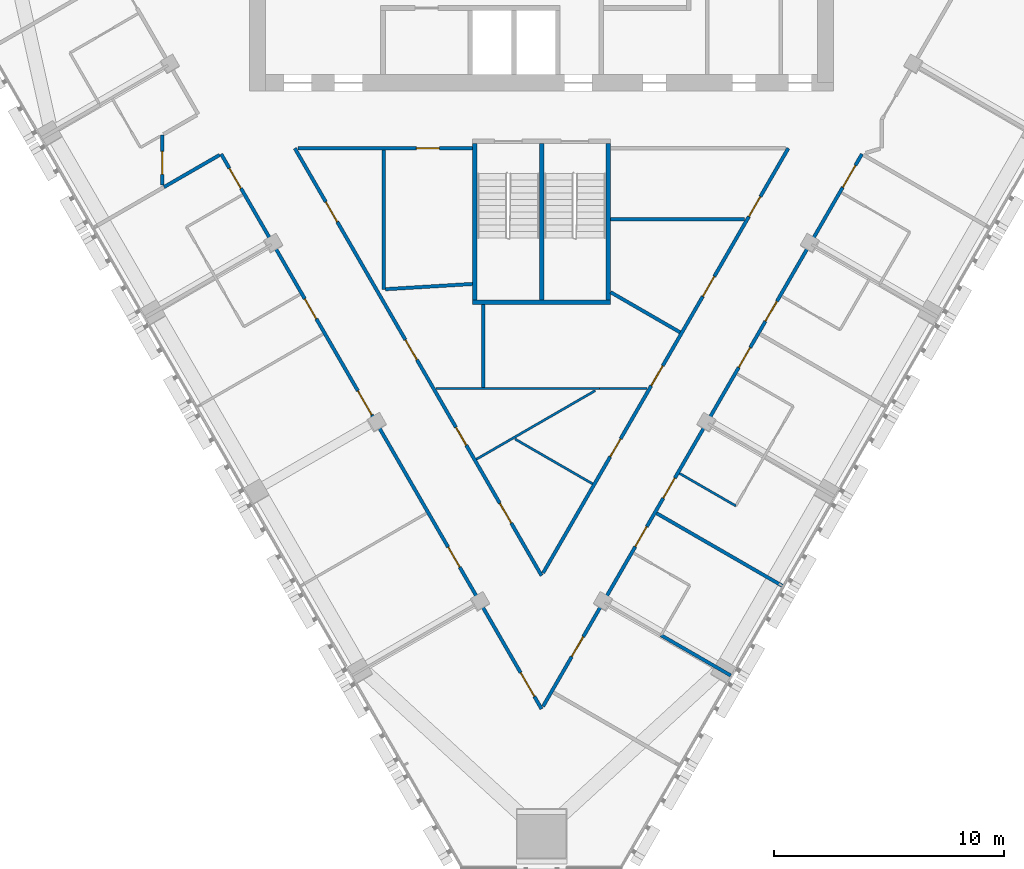
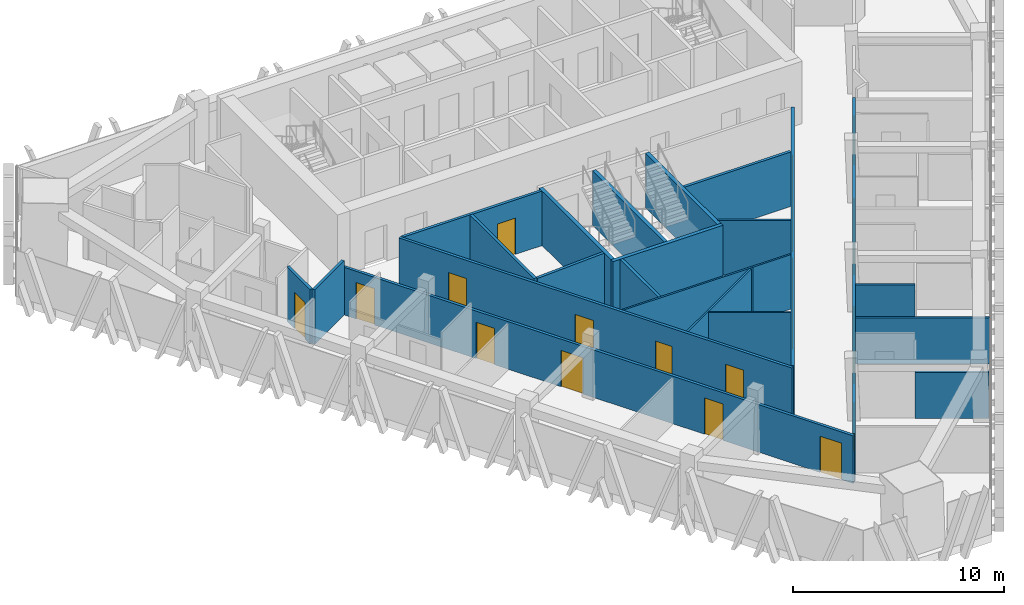
# One storey, part 9 of 16: 23 walls, 21 doors, 21 openings.
"""IFC4 building model written with IfcOpenShell, lengths in metres."""

from ifc_helpers import new_model, si_unit, direction, frame, frame_2d, origin, place, context, subcontext, project, spatial, rectangle, extrude, material, layer, layer_set, type_object, element, fill, save


model = new_model("IFC4")

# Units and contexts
model_context = context("Model", 3, precision=1e-05, world=origin(), true_north=direction((0.0, 1.0)))
body_context = subcontext(model_context, "Body", "Model", "MODEL_VIEW")
ifc_project = project(units=[si_unit("LENGTHUNIT", "METRE"), si_unit("AREAUNIT", "SQUARE_METRE"), si_unit("VOLUMEUNIT", "CUBIC_METRE"), si_unit("PLANEANGLEUNIT", "RADIAN"), si_unit("MASSUNIT", "GRAM", prefix="KILO")], contexts=[model_context])

# Site, building, storey
site_placement = place(None, origin())
site = spatial("IfcSite", under=ifc_project, at=site_placement, CompositionType="ELEMENT")
building_placement = place(site_placement, origin())
building = spatial("IfcBuilding", under=site, at=building_placement, Name="Altiplano Prism Tower", CompositionType="ELEMENT")
storey_placement = place(building_placement, frame((0.0, 0.0, 167.39990234375)))
storey = spatial("IfcBuildingStorey", under=building, at=storey_placement, Name="L43", CompositionType="ELEMENT", Elevation=167.39990234375)

# Walls
ifc_material_1 = material(Name="Plasterboard on steel stud", Category="steel")
ifc_layer_1 = layer(ifc_material_1, 0.10009765625)
ifc_layer_set_1 = layer_set([ifc_layer_1], Name="Plasterboard on steel stud")
wall_type_1 = type_object("IfcWallType", Name="Partition 100 unit", PredefinedType="PARTITIONING", material=ifc_layer_set_1)
wall_1_placement = place(storey_placement, frame((93.44921875, 74.64111328125, 0.0), z_axis=(0.0, 0.0, 1.0), x_axis=(-0.866011447264, 0.500024172624, 0.0)))
element("IfcWall", 1, at=wall_1_placement, inside=storey, type_object=wall_type_1, Name="Partition P02 L43 061", PredefinedType="PARTITIONING", context=body_context, shape_type="SweptSolid", body=[
    extrude(rectangle(XDim=2.824951171875, YDim=0.10009765625, at=frame_2d((1.41259765625, 0.0))), origin(), (0.0, 0.0, 1.0), 3.150146484375),
])
ifc_layer_2 = layer(ifc_material_1, 0.10009765625)
ifc_layer_set_2 = layer_set([ifc_layer_2], Name="Plasterboard on steel stud")
wall_type_2 = type_object("IfcWallType", Name="Partition 100 wet", PredefinedType="PARTITIONING", material=ifc_layer_set_2)
wall_2_placement = place(storey_placement, frame((82.163818359375, 76.669189453125, 0.0), z_axis=(0.0, 0.0, 1.0), x_axis=(0.866024860133, 0.500000941631, 0.0)))
element("IfcWall", 2, at=wall_2_placement, inside=storey, type_object=wall_type_2, Name="Partition P03 L43 029", PredefinedType="PARTITIONING", context=body_context, shape_type="SweptSolid", body=[
    extrude(rectangle(XDim=5.9697265625, YDim=0.10009765625, at=frame_2d((2.98486328125, 0.0))), origin(), (0.0, 0.0, 1.0), 3.150146484375),
])
wall_3_placement = place(storey_placement, frame((87.51513671875, 79.747314453125, 0.0), z_axis=(0.0, 0.0, 1.0), x_axis=(-1.0, 0.0, 0.0)))
element("IfcWall", 3, at=wall_3_placement, inside=storey, type_object=wall_type_2, Name="Partition P03 L43 030", PredefinedType="PARTITIONING", context=body_context, shape_type="SweptSolid", body=[
    extrude(rectangle(XDim=7.099609375, YDim=0.10009765625, at=frame_2d((3.5498046875, 0.0))), origin(), (0.0, 0.0, 1.0), 3.150146484375),
])
wall_4_placement = place(storey_placement, frame((83.8408203125, 77.55078125, 0.0), z_axis=(0.0, 0.0, 1.0), x_axis=(0.86603551244, -0.499982490886, 0.0)))
element("IfcWall", 4, at=wall_4_placement, inside=storey, type_object=wall_type_2, Name="Partition P03 L43 031", PredefinedType="PARTITIONING", context=body_context, shape_type="SweptSolid", body=[
    extrude(rectangle(XDim=3.901123046875, YDim=0.10009765625, at=frame_2d((1.95068359375, 0.0))), origin(), (0.0, 0.0, 1.0), 3.150146484375),
])
wall_5_placement = place(storey_placement, frame((89.58447265625, 79.747314453125, 0.0), z_axis=(0.0, 0.0, 1.0), x_axis=(-1.0, 0.0, 0.0)))
element("IfcWall", 5, at=wall_5_placement, inside=storey, type_object=wall_type_2, Name="Partition P03 L43 032", PredefinedType="PARTITIONING", context=body_context, shape_type="SweptSolid", body=[
    extrude(rectangle(XDim=2.0693359375, YDim=0.10009765625, at=frame_2d((1.03466796875, 0.0))), origin(), (0.0, 0.0, 1.0), 3.150146484375),
])

# Wall, openings, doors
ifc_layer_3 = layer(ifc_material_1, 0.14990234375)
ifc_layer_set_3 = layer_set([ifc_layer_3], Name="Plasterboard on steel stud")
wall_type_3 = type_object("IfcWallType", Name="Partition 150 corridor", PredefinedType="PARTITIONING", material=ifc_layer_set_3)
wall_6_placement = place(storey_placement, frame((95.73486328125, 90.199951171875, 0.0), z_axis=(0.0, 0.0, 1.0), x_axis=(-0.499997763281, -0.866026695151, 0.0)))
wall_6 = element("IfcWall", 6, at=wall_6_placement, inside=storey, type_object=wall_type_3, Name="Partition P06 L43 001", PredefinedType="PARTITIONING", context=body_context, shape_type="SweptSolid", body=[
    extrude(rectangle(XDim=21.33984375, YDim=0.14990234375, at=frame_2d((10.669921875, 0.0))), origin(), (0.0, 0.0, 1.0), 3.150146484375),
])
opening_1_placement = place(wall_6_placement, frame((14.59912109375, 0.0, 0.0)))
opening_1 = element("IfcOpeningElement", 7, at=opening_1_placement, cuts=wall_6, Name="Opening D1508", PredefinedType="OPENING", context=body_context, shape_type="SweptSolid", body=[
    extrude(rectangle(XDim=0.89990234375, YDim=2.10009765625, at=frame_2d((0.449951171875, 1.050048828125))), frame((0.0, 0.08544921875, 0.0), z_axis=(0.0, -1.0, 0.0), x_axis=(1.0, 0.0, 0.0)), (0.0, 0.0, 1.0), 0.1708984375),
])
opening_2_placement = place(wall_6_placement, frame((6.44091796875, 0.0, 0.0)))
opening_2 = element("IfcOpeningElement", 8, at=opening_2_placement, cuts=wall_6, Name="Opening D1512", PredefinedType="OPENING", context=body_context, shape_type="SweptSolid", body=[
    extrude(rectangle(XDim=1.0, YDim=2.10009765625, at=frame_2d((0.5, 1.050048828125))), frame((0.0, 0.08544921875, 0.0), z_axis=(0.0, -1.0, 0.0), x_axis=(1.0, 0.0, 0.0)), (0.0, 0.0, 1.0), 0.1708984375),
])
opening_3_placement = place(wall_6_placement, frame((10.929931640625, 0.0, 0.0)))
opening_3 = element("IfcOpeningElement", 9, at=opening_3_placement, cuts=wall_6, Name="Opening D1540", PredefinedType="OPENING", context=body_context, shape_type="SweptSolid", body=[
    extrude(rectangle(XDim=1.0, YDim=2.10009765625, at=frame_2d((0.5, 1.050048828125))), frame((0.0, 0.08544921875, 0.0), z_axis=(0.0, -1.0, 0.0), x_axis=(1.0, 0.0, 0.0)), (0.0, 0.0, 1.0), 0.1708984375),
])
opening_4_placement = place(wall_6_placement, frame((2.426025390625, 0.0, 0.0)))
opening_4 = element("IfcOpeningElement", 10, at=opening_4_placement, cuts=wall_6, Name="Opening D1542", PredefinedType="OPENING", context=body_context, shape_type="SweptSolid", body=[
    extrude(rectangle(XDim=1.0, YDim=2.10009765625, at=frame_2d((0.5, 1.050048828125))), frame((0.0, 0.08544921875, 0.0), z_axis=(0.0, -1.0, 0.0), x_axis=(1.0, 0.0, 0.0)), (0.0, 0.0, 1.0), 0.1708984375),
])
ifc_material_2 = material(Name="Timber", Category="wood")
door_type_1 = type_object("IfcDoorType", Name="Room door 1000 x 2100", OperationType="NOTDEFINED", PredefinedType="NOTDEFINED", material=ifc_material_2)
door_1_placement = place(opening_3_placement, origin())
door_1 = element("IfcDoor", 11, at=door_1_placement, inside=storey, type_object=door_type_1, Name="Door D1540", OperationType="SINGLE_SWING_RIGHT", OverallHeight=2.10009765625, OverallWidth=1.0, PredefinedType="NOTDEFINED", context=body_context, shape_type="SweptSolid", body=[
    extrude(rectangle(XDim=1.0, YDim=2.10009765625, at=frame_2d((0.5, 1.050048828125))), frame((0.0, 0.02490234375, 0.0), z_axis=(0.0, -1.0, 0.0), x_axis=(1.0, 0.0, 0.0)), (0.0, 0.0, 1.0), 0.050048828125),
])
fill(opening_3, door_1)
door_type_2 = type_object("IfcDoorType", Name="Store door 1000 x 2100", OperationType="NOTDEFINED", PredefinedType="NOTDEFINED", material=ifc_material_2)
door_2_placement = place(opening_2_placement, origin())
door_2 = element("IfcDoor", 12, at=door_2_placement, inside=storey, type_object=door_type_2, Name="Door D1512", OperationType="SINGLE_SWING_RIGHT", OverallHeight=2.10009765625, OverallWidth=1.0, PredefinedType="NOTDEFINED", context=body_context, shape_type="SweptSolid", body=[
    extrude(rectangle(XDim=1.0, YDim=2.10009765625, at=frame_2d((0.5, 1.050048828125))), frame((0.0, 0.02490234375, 0.0), z_axis=(0.0, -1.0, 0.0), x_axis=(1.0, 0.0, 0.0)), (0.0, 0.0, 1.0), 0.050048828125),
])
fill(opening_2, door_2)
door_3_placement = place(opening_4_placement, origin())
door_3 = element("IfcDoor", 13, at=door_3_placement, inside=storey, type_object=door_type_2, Name="Door D1542", OperationType="SINGLE_SWING_RIGHT", OverallHeight=2.10009765625, OverallWidth=1.0, PredefinedType="NOTDEFINED", context=body_context, shape_type="SweptSolid", body=[
    extrude(rectangle(XDim=1.0, YDim=2.10009765625, at=frame_2d((0.5, 1.050048828125))), frame((0.0, 0.02490234375, 0.0), z_axis=(0.0, -1.0, 0.0), x_axis=(1.0, 0.0, 0.0)), (0.0, 0.0, 1.0), 0.050048828125),
])
fill(opening_4, door_3)
door_type_3 = type_object("IfcDoorType", Name="Toilet door 900 x 2100", OperationType="NOTDEFINED", PredefinedType="NOTDEFINED", material=ifc_material_2)
door_4_placement = place(opening_1_placement, origin())
door_4 = element("IfcDoor", 14, at=door_4_placement, inside=storey, type_object=door_type_3, Name="Door D1508", OperationType="SINGLE_SWING_RIGHT", OverallHeight=2.10009765625, OverallWidth=0.89990234375, PredefinedType="NOTDEFINED", context=body_context, shape_type="SweptSolid", body=[
    extrude(rectangle(XDim=0.89990234375, YDim=2.10009765625, at=frame_2d((0.449951171875, 1.050048828125))), frame((0.0, 0.02490234375, 0.0), z_axis=(0.0, -1.0, 0.0), x_axis=(1.0, 0.0, 0.0)), (0.0, 0.0, 1.0), 0.050048828125),
])
fill(opening_1, door_4)

# Wall, opening, door
wall_7_placement = place(storey_placement, frame((74.39501953125, 90.199951171875, 0.0), z_axis=(0.0, 0.0, 1.0), x_axis=(1.0, 0.0, 0.0)))
wall_7 = element("IfcWall", 15, at=wall_7_placement, inside=storey, type_object=wall_type_3, Name="Partition P06 L43 002", PredefinedType="PARTITIONING", context=body_context, shape_type="SweptSolid", body=[
    extrude(rectangle(XDim=7.60498046875, YDim=0.14990234375, at=frame_2d((3.802490234375, 0.0))), origin(), (0.0, 0.0, 1.0), 3.150146484375),
])
opening_5_placement = place(wall_7_placement, frame((5.158935546875, 0.0, 0.0)))
opening_5 = element("IfcOpeningElement", 16, at=opening_5_placement, cuts=wall_7, Name="Opening D1541", PredefinedType="OPENING", context=body_context, shape_type="SweptSolid", body=[
    extrude(rectangle(XDim=1.0, YDim=2.10009765625, at=frame_2d((0.5, 1.050048828125))), frame((0.0, 0.08544921875, 0.0), z_axis=(0.0, -1.0, 0.0), x_axis=(1.0, 0.0, 0.0)), (0.0, 0.0, 1.0), 0.1708984375),
])
door_5_placement = place(opening_5_placement, origin())
door_5 = element("IfcDoor", 17, at=door_5_placement, inside=storey, type_object=door_type_1, Name="Door D1541", OperationType="SINGLE_SWING_RIGHT", OverallHeight=2.10009765625, OverallWidth=1.0, PredefinedType="NOTDEFINED", context=body_context, shape_type="SweptSolid", body=[
    extrude(rectangle(XDim=1.0, YDim=2.10009765625, at=frame_2d((0.5, 1.050048828125))), frame((0.0, 0.02490234375, 0.0), z_axis=(0.0, -1.0, 0.0), x_axis=(1.0, 0.0, 0.0)), (0.0, 0.0, 1.0), 0.050048828125),
])
fill(opening_5, door_5)

# Wall, openings, doors
wall_8_placement = place(storey_placement, frame((85.0, 71.606689453125, 0.0), z_axis=(0.0, 0.0, 1.0), x_axis=(-0.50000134921, 0.866024624816, 0.0)))
wall_8 = element("IfcWall", 18, at=wall_8_placement, inside=storey, type_object=wall_type_3, Name="Partition P06 L43 003", PredefinedType="PARTITIONING", context=body_context, shape_type="SweptSolid", body=[
    extrude(rectangle(XDim=21.4697265625, YDim=0.14990234375, at=frame_2d((10.73486328125, 0.0))), origin(), (0.0, 0.0, 1.0), 3.150146484375),
])
opening_6_placement = place(wall_8_placement, frame((6.551025390625, 0.0, 0.0)))
opening_6 = element("IfcOpeningElement", 19, at=opening_6_placement, cuts=wall_8, Name="Opening D1507", PredefinedType="OPENING", context=body_context, shape_type="SweptSolid", body=[
    extrude(rectangle(XDim=0.89990234375, YDim=2.10009765625, at=frame_2d((0.449951171875, 1.050048828125))), frame((0.0, 0.08544921875, 0.0), z_axis=(0.0, -1.0, 0.0), x_axis=(1.0, 0.0, 0.0)), (0.0, 0.0, 1.0), 0.1708984375),
])
opening_7_placement = place(wall_8_placement, frame((17.77490234375, 0.0, 0.0)))
opening_7 = element("IfcOpeningElement", 20, at=opening_7_placement, cuts=wall_8, Name="Opening D1509", PredefinedType="OPENING", context=body_context, shape_type="SweptSolid", body=[
    extrude(rectangle(XDim=1.0, YDim=2.10009765625, at=frame_2d((0.5, 1.050048828125))), frame((0.0, 0.08544921875, 0.0), z_axis=(0.0, -1.0, 0.0), x_axis=(1.0, 0.0, 0.0)), (0.0, 0.0, 1.0), 0.1708984375),
])
opening_8_placement = place(wall_8_placement, frame((2.635986328125, 0.0, 0.0)))
opening_8 = element("IfcOpeningElement", 21, at=opening_8_placement, cuts=wall_8, Name="Opening D1510", PredefinedType="OPENING", context=body_context, shape_type="SweptSolid", body=[
    extrude(rectangle(XDim=1.0, YDim=2.10009765625, at=frame_2d((0.5, 1.050048828125))), frame((0.0, 0.08544921875, 0.0), z_axis=(0.0, -1.0, 0.0), x_axis=(1.0, 0.0, 0.0)), (0.0, 0.0, 1.0), 0.1708984375),
])
opening_9_placement = place(wall_8_placement, frame((10.843994140625, 0.0, 0.0)))
opening_9 = element("IfcOpeningElement", 22, at=opening_9_placement, cuts=wall_8, Name="Opening D1511", PredefinedType="OPENING", context=body_context, shape_type="SweptSolid", body=[
    extrude(rectangle(XDim=1.0, YDim=2.10009765625, at=frame_2d((0.5, 1.050048828125))), frame((0.0, 0.08544921875, 0.0), z_axis=(0.0, -1.0, 0.0), x_axis=(1.0, 0.0, 0.0)), (0.0, 0.0, 1.0), 0.1708984375),
])
door_6_placement = place(opening_7_placement, origin())
door_6 = element("IfcDoor", 23, at=door_6_placement, inside=storey, type_object=door_type_2, Name="Door D1509", OperationType="SINGLE_SWING_RIGHT", OverallHeight=2.10009765625, OverallWidth=1.0, PredefinedType="NOTDEFINED", context=body_context, shape_type="SweptSolid", body=[
    extrude(rectangle(XDim=1.0, YDim=2.10009765625, at=frame_2d((0.5, 1.050048828125))), frame((0.0, 0.02490234375, 0.0), z_axis=(0.0, -1.0, 0.0), x_axis=(1.0, 0.0, 0.0)), (0.0, 0.0, 1.0), 0.050048828125),
])
fill(opening_7, door_6)
door_7_placement = place(opening_8_placement, origin())
door_7 = element("IfcDoor", 24, at=door_7_placement, inside=storey, type_object=door_type_2, Name="Door D1510", OperationType="SINGLE_SWING_LEFT", OverallHeight=2.10009765625, OverallWidth=1.0, PredefinedType="NOTDEFINED", context=body_context, shape_type="SweptSolid", body=[
    extrude(rectangle(XDim=1.0, YDim=2.10009765625, at=frame_2d((0.5, 1.050048828125))), frame((0.0, 0.02490234375, 0.0), z_axis=(0.0, -1.0, 0.0), x_axis=(1.0, 0.0, 0.0)), (0.0, 0.0, 1.0), 0.050048828125),
])
fill(opening_8, door_7)
door_8_placement = place(opening_9_placement, origin())
door_8 = element("IfcDoor", 25, at=door_8_placement, inside=storey, type_object=door_type_2, Name="Door D1511", OperationType="SINGLE_SWING_LEFT", OverallHeight=2.10009765625, OverallWidth=1.0, PredefinedType="NOTDEFINED", context=body_context, shape_type="SweptSolid", body=[
    extrude(rectangle(XDim=1.0, YDim=2.10009765625, at=frame_2d((0.5, 1.050048828125))), frame((0.0, 0.02490234375, 0.0), z_axis=(0.0, -1.0, 0.0), x_axis=(1.0, 0.0, 0.0)), (0.0, 0.0, 1.0), 0.050048828125),
])
fill(opening_9, door_8)
door_9_placement = place(opening_6_placement, origin())
door_9 = element("IfcDoor", 26, at=door_9_placement, inside=storey, type_object=door_type_3, Name="Door D1507", OperationType="SINGLE_SWING_LEFT", OverallHeight=2.10009765625, OverallWidth=0.89990234375, PredefinedType="NOTDEFINED", context=body_context, shape_type="SweptSolid", body=[
    extrude(rectangle(XDim=0.89990234375, YDim=2.10009765625, at=frame_2d((0.449951171875, 1.050048828125))), frame((0.0, 0.02490234375, 0.0), z_axis=(0.0, -1.0, 0.0), x_axis=(1.0, 0.0, 0.0)), (0.0, 0.0, 1.0), 0.050048828125),
])
fill(opening_6, door_9)

# Wall, opening, door
wall_9_placement = place(storey_placement, frame((68.5, 90.777587890625, 0.0), z_axis=(0.0, 0.0, 1.0), x_axis=(0.0, -1.0, 0.0)))
wall_9 = element("IfcWall", 27, at=wall_9_placement, inside=storey, type_object=wall_type_3, Name="Partition P06 L43 009", PredefinedType="PARTITIONING", context=body_context, shape_type="SweptSolid", body=[
    extrude(rectangle(XDim=2.179443359375, YDim=0.14990234375, at=frame_2d((1.08984375, 0.0))), origin(), (0.0, 0.0, 1.0), 3.150146484375),
])
opening_10_placement = place(wall_9_placement, frame((0.7119140625, 0.0, 0.0)))
opening_10 = element("IfcOpeningElement", 28, at=opening_10_placement, cuts=wall_9, Name="Opening D1516", PredefinedType="OPENING", context=body_context, shape_type="SweptSolid", body=[
    extrude(rectangle(XDim=1.0, YDim=2.10009765625, at=frame_2d((0.5, 1.050048828125))), frame((0.0, 0.08544921875, 0.0), z_axis=(0.0, -1.0, 0.0), x_axis=(1.0, 0.0, 0.0)), (0.0, 0.0, 1.0), 0.1708984375),
])
door_type_4 = type_object("IfcDoorType", Name="Bedroom entrance door 1000 x 2100", OperationType="NOTDEFINED", PredefinedType="NOTDEFINED", material=ifc_material_2)
door_10_placement = place(opening_10_placement, origin())
door_10 = element("IfcDoor", 29, at=door_10_placement, inside=storey, type_object=door_type_4, Name="Door D1516", OperationType="SINGLE_SWING_LEFT", OverallHeight=2.10009765625, OverallWidth=1.0, PredefinedType="NOTDEFINED", context=body_context, shape_type="SweptSolid", body=[
    extrude(rectangle(XDim=1.0, YDim=2.10009765625, at=frame_2d((0.5, 1.050048828125))), frame((0.0, 0.02490234375, 0.0), z_axis=(0.0, -1.0, 0.0), x_axis=(1.0, 0.0, 0.0)), (0.0, 0.0, 1.0), 0.050048828125),
])
fill(opening_10, door_10)

# Wall
wall_10_placement = place(storey_placement, frame((68.572265625, 88.510009765625, 0.0), z_axis=(0.0, 0.0, 1.0), x_axis=(0.866056369097, 0.49994636267, 0.0)))
element("IfcWall", 30, at=wall_10_placement, inside=storey, type_object=wall_type_3, Name="Partition P06 L43 011", PredefinedType="PARTITIONING", context=body_context, shape_type="SweptSolid", body=[
    extrude(rectangle(XDim=2.800048828125, YDim=0.14990234375, at=frame_2d((1.39990234375, 0.0))), origin(), (0.0, 0.0, 1.0), 3.150146484375),
])

# Wall, openings, doors
wall_11_placement = place(storey_placement, frame((71.062255859375, 89.947509765625, 0.0), z_axis=(0.0, 0.0, 1.0), x_axis=(0.500000184135, -0.866025297474, 0.0)))
wall_11 = element("IfcWall", 31, at=wall_11_placement, inside=storey, type_object=wall_type_3, Name="Partition P06 L43 012", PredefinedType="PARTITIONING", context=body_context, shape_type="SweptSolid", body=[
    extrude(rectangle(XDim=27.87548828125, YDim=0.14990234375, at=frame_2d((13.937744140625, 0.0))), origin(), (0.0, 0.0, 1.0), 2.75),
])
opening_11_placement = place(wall_11_placement, frame((0.719970703125, 0.0, 0.0)))
opening_11 = element("IfcOpeningElement", 32, at=opening_11_placement, cuts=wall_11, Name="Opening D1518", PredefinedType="OPENING", context=body_context, shape_type="SweptSolid", body=[
    extrude(rectangle(XDim=1.0, YDim=2.10009765625, at=frame_2d((0.5, 1.050048828125))), frame((0.0, 0.08544921875, 0.0), z_axis=(0.0, -1.0, 0.0), x_axis=(1.0, 0.0, 0.0)), (0.0, 0.0, 1.0), 0.1708984375),
])
opening_12_placement = place(wall_11_placement, frame((7.280029296875, 0.0, 0.0)))
opening_12 = element("IfcOpeningElement", 33, at=opening_12_placement, cuts=wall_11, Name="Opening D1520", PredefinedType="OPENING", context=body_context, shape_type="SweptSolid", body=[
    extrude(rectangle(XDim=1.0, YDim=2.10009765625, at=frame_2d((0.5, 1.050048828125))), frame((0.0, 0.08544921875, 0.0), z_axis=(0.0, -1.0, 0.0), x_axis=(1.0, 0.0, 0.0)), (0.0, 0.0, 1.0), 0.1708984375),
])
opening_13_placement = place(wall_11_placement, frame((11.89990234375, 0.0, 0.0)))
opening_13 = element("IfcOpeningElement", 34, at=opening_13_placement, cuts=wall_11, Name="Opening D1522", PredefinedType="OPENING", context=body_context, shape_type="SweptSolid", body=[
    extrude(rectangle(XDim=1.199951171875, YDim=2.10009765625, at=frame_2d((0.60009765625, 1.050048828125))), frame((0.0, 0.08544921875, 0.0), z_axis=(0.0, -1.0, 0.0), x_axis=(1.0, 0.0, 0.0)), (0.0, 0.0, 1.0), 0.1708984375),
])
opening_14_placement = place(wall_11_placement, frame((19.75, 0.0, 0.0)))
opening_14 = element("IfcOpeningElement", 35, at=opening_14_placement, cuts=wall_11, Name="Opening D1523", PredefinedType="OPENING", context=body_context, shape_type="SweptSolid", body=[
    extrude(rectangle(XDim=1.0, YDim=2.10009765625, at=frame_2d((0.5, 1.050048828125))), frame((0.0, 0.08544921875, 0.0), z_axis=(0.0, -1.0, 0.0), x_axis=(1.0, 0.0, 0.0)), (0.0, 0.0, 1.0), 0.1708984375),
])
opening_15_placement = place(wall_11_placement, frame((26.051025390625, 0.0, 0.0)))
opening_15 = element("IfcOpeningElement", 36, at=opening_15_placement, cuts=wall_11, Name="Opening D1524", PredefinedType="OPENING", context=body_context, shape_type="SweptSolid", body=[
    extrude(rectangle(XDim=1.199951171875, YDim=2.10009765625, at=frame_2d((0.60009765625, 1.050048828125))), frame((0.0, 0.08544921875, 0.0), z_axis=(0.0, -1.0, 0.0), x_axis=(1.0, 0.0, 0.0)), (0.0, 0.0, 1.0), 0.1708984375),
])
door_11_placement = place(opening_11_placement, origin())
door_11 = element("IfcDoor", 37, at=door_11_placement, inside=storey, type_object=door_type_4, Name="Door D1518", OperationType="SINGLE_SWING_LEFT", OverallHeight=2.10009765625, OverallWidth=1.0, PredefinedType="NOTDEFINED", context=body_context, shape_type="SweptSolid", body=[
    extrude(rectangle(XDim=1.0, YDim=2.10009765625, at=frame_2d((0.5, 1.050048828125))), frame((0.0, 0.02490234375, 0.0), z_axis=(0.0, -1.0, 0.0), x_axis=(1.0, 0.0, 0.0)), (0.0, 0.0, 1.0), 0.050048828125),
])
fill(opening_11, door_11)
door_12_placement = place(opening_12_placement, origin())
door_12 = element("IfcDoor", 38, at=door_12_placement, inside=storey, type_object=door_type_4, Name="Door D1520", OperationType="SINGLE_SWING_RIGHT", OverallHeight=2.10009765625, OverallWidth=1.0, PredefinedType="NOTDEFINED", context=body_context, shape_type="SweptSolid", body=[
    extrude(rectangle(XDim=1.0, YDim=2.10009765625, at=frame_2d((0.5, 1.050048828125))), frame((0.0, 0.02490234375, 0.0), z_axis=(0.0, -1.0, 0.0), x_axis=(1.0, 0.0, 0.0)), (0.0, 0.0, 1.0), 0.050048828125),
])
fill(opening_12, door_12)
door_13_placement = place(opening_14_placement, origin())
door_13 = element("IfcDoor", 39, at=door_13_placement, inside=storey, type_object=door_type_1, Name="Door D1523", OperationType="SINGLE_SWING_RIGHT", OverallHeight=2.10009765625, OverallWidth=1.0, PredefinedType="NOTDEFINED", context=body_context, shape_type="SweptSolid", body=[
    extrude(rectangle(XDim=1.0, YDim=2.10009765625, at=frame_2d((0.5, 1.050048828125))), frame((0.0, 0.02490234375, 0.0), z_axis=(0.0, -1.0, 0.0), x_axis=(1.0, 0.0, 0.0)), (0.0, 0.0, 1.0), 0.050048828125),
])
fill(opening_14, door_13)
door_type_5 = type_object("IfcDoorType", Name="Shared room door 1200 x 2100", OperationType="NOTDEFINED", PredefinedType="NOTDEFINED", material=ifc_material_2)
door_14_placement = place(opening_13_placement, origin())
door_14 = element("IfcDoor", 40, at=door_14_placement, inside=storey, type_object=door_type_5, Name="Door D1522", OperationType="SINGLE_SWING_RIGHT", OverallHeight=2.10009765625, OverallWidth=1.199951171875, PredefinedType="NOTDEFINED", context=body_context, shape_type="SweptSolid", body=[
    extrude(rectangle(XDim=1.199951171875, YDim=2.10009765625, at=frame_2d((0.60009765625, 1.050048828125))), frame((0.0, 0.02490234375, 0.0), z_axis=(0.0, -1.0, 0.0), x_axis=(1.0, 0.0, 0.0)), (0.0, 0.0, 1.0), 0.050048828125),
])
fill(opening_13, door_14)
door_15_placement = place(opening_15_placement, origin())
door_15 = element("IfcDoor", 41, at=door_15_placement, inside=storey, type_object=door_type_5, Name="Door D1524", OperationType="SINGLE_SWING_RIGHT", OverallHeight=2.10009765625, OverallWidth=1.199951171875, PredefinedType="NOTDEFINED", context=body_context, shape_type="SweptSolid", body=[
    extrude(rectangle(XDim=1.199951171875, YDim=2.10009765625, at=frame_2d((0.60009765625, 1.050048828125))), frame((0.0, 0.02490234375, 0.0), z_axis=(0.0, -1.0, 0.0), x_axis=(1.0, 0.0, 0.0)), (0.0, 0.0, 1.0), 0.050048828125),
])
fill(opening_15, door_15)

wall_12_placement = place(storey_placement, frame((85.06494140625, 65.919189453125, 0.0), z_axis=(0.0, 0.0, 1.0), x_axis=(0.50000123084, 0.866024693157, 0.0)))
wall_12 = element("IfcWall", 42, at=wall_12_placement, inside=storey, type_object=wall_type_3, Name="Partition P06 L43 013", PredefinedType="PARTITIONING", context=body_context, shape_type="SweptSolid", body=[
    extrude(rectangle(XDim=27.74560546875, YDim=0.14990234375, at=frame_2d((13.872802734375, 0.0))), origin(), (0.0, 0.0, 1.0), 2.75),
])
opening_16_placement = place(wall_12_placement, frame((2.49609375, 0.0, 0.0)))
opening_16 = element("IfcOpeningElement", 43, at=opening_16_placement, cuts=wall_12, Name="Opening D1525", PredefinedType="OPENING", context=body_context, shape_type="SweptSolid", body=[
    extrude(rectangle(XDim=1.0, YDim=2.10009765625, at=frame_2d((0.5, 1.050048828125))), frame((0.0, 0.08544921875, 0.0), z_axis=(0.0, -1.0, 0.0), x_axis=(1.0, 0.0, 0.0)), (0.0, 0.0, 1.0), 0.1708984375),
])
opening_17_placement = place(wall_12_placement, frame((8.02490234375, 0.0, 0.0)))
opening_17 = element("IfcOpeningElement", 44, at=opening_17_placement, cuts=wall_12, Name="Opening D1526", PredefinedType="OPENING", context=body_context, shape_type="SweptSolid", body=[
    extrude(rectangle(XDim=1.0, YDim=2.10009765625, at=frame_2d((0.5, 1.050048828125))), frame((0.0, 0.08544921875, 0.0), z_axis=(0.0, -1.0, 0.0), x_axis=(1.0, 0.0, 0.0)), (0.0, 0.0, 1.0), 0.1708984375),
])
opening_18_placement = place(wall_12_placement, frame((10.466064453125, 0.0, 0.0)))
opening_18 = element("IfcOpeningElement", 45, at=opening_18_placement, cuts=wall_12, Name="Opening D1528", PredefinedType="OPENING", context=body_context, shape_type="SweptSolid", body=[
    extrude(rectangle(XDim=1.0, YDim=2.10009765625, at=frame_2d((0.5, 1.050048828125))), frame((0.0, 0.08544921875, 0.0), z_axis=(0.0, -1.0, 0.0), x_axis=(1.0, 0.0, 0.0)), (0.0, 0.0, 1.0), 0.1708984375),
])
opening_19_placement = place(wall_12_placement, frame((17.02490234375, 0.0, 0.0)))
opening_19 = element("IfcOpeningElement", 46, at=opening_19_placement, cuts=wall_12, Name="Opening D1530", PredefinedType="OPENING", context=body_context, shape_type="SweptSolid", body=[
    extrude(rectangle(XDim=1.0, YDim=2.10009765625, at=frame_2d((0.5, 1.050048828125))), frame((0.0, 0.08544921875, 0.0), z_axis=(0.0, -1.0, 0.0), x_axis=(1.0, 0.0, 0.0)), (0.0, 0.0, 1.0), 0.1708984375),
])
opening_20_placement = place(wall_12_placement, frame((19.35009765625, 0.0, 0.0)))
opening_20 = element("IfcOpeningElement", 47, at=opening_20_placement, cuts=wall_12, Name="Opening D1532", PredefinedType="OPENING", context=body_context, shape_type="SweptSolid", body=[
    extrude(rectangle(XDim=1.0, YDim=2.10009765625, at=frame_2d((0.5, 1.050048828125))), frame((0.0, 0.08544921875, 0.0), z_axis=(0.0, -1.0, 0.0), x_axis=(1.0, 0.0, 0.0)), (0.0, 0.0, 1.0), 0.1708984375),
])
opening_21_placement = place(wall_12_placement, frame((26.074951171875, 0.0, 0.0)))
opening_21 = element("IfcOpeningElement", 48, at=opening_21_placement, cuts=wall_12, Name="Opening D1534", PredefinedType="OPENING", context=body_context, shape_type="SweptSolid", body=[
    extrude(rectangle(XDim=1.10009765625, YDim=2.10009765625, at=frame_2d((0.550048828125, 1.050048828125))), frame((0.0, 0.08544921875, 0.0), z_axis=(0.0, -1.0, 0.0), x_axis=(1.0, 0.0, 0.0)), (0.0, 0.0, 1.0), 0.1708984375),
])
door_type_6 = type_object("IfcDoorType", Name="Accessible bedroom door 1100 x 2100", OperationType="NOTDEFINED", PredefinedType="NOTDEFINED", material=ifc_material_2)
door_16_placement = place(opening_21_placement, origin())
door_16 = element("IfcDoor", 49, at=door_16_placement, inside=storey, type_object=door_type_6, Name="Door D1534", OperationType="SINGLE_SWING_LEFT", OverallHeight=2.10009765625, OverallWidth=1.10009765625, PredefinedType="NOTDEFINED", context=body_context, shape_type="SweptSolid", body=[
    extrude(rectangle(XDim=1.10009765625, YDim=2.10009765625, at=frame_2d((0.550048828125, 1.050048828125))), frame((0.0, 0.02490234375, 0.0), z_axis=(0.0, -1.0, 0.0), x_axis=(1.0, 0.0, 0.0)), (0.0, 0.0, 1.0), 0.050048828125),
])
fill(opening_21, door_16)
door_17_placement = place(opening_17_placement, origin())
door_17 = element("IfcDoor", 50, at=door_17_placement, inside=storey, type_object=door_type_4, Name="Door D1526", OperationType="SINGLE_SWING_LEFT", OverallHeight=2.10009765625, OverallWidth=1.0, PredefinedType="NOTDEFINED", context=body_context, shape_type="SweptSolid", body=[
    extrude(rectangle(XDim=1.0, YDim=2.10009765625, at=frame_2d((0.5, 1.050048828125))), frame((0.0, 0.02490234375, 0.0), z_axis=(0.0, -1.0, 0.0), x_axis=(1.0, 0.0, 0.0)), (0.0, 0.0, 1.0), 0.050048828125),
])
fill(opening_17, door_17)
door_18_placement = place(opening_18_placement, origin())
door_18 = element("IfcDoor", 51, at=door_18_placement, inside=storey, type_object=door_type_4, Name="Door D1528", OperationType="SINGLE_SWING_LEFT", OverallHeight=2.10009765625, OverallWidth=1.0, PredefinedType="NOTDEFINED", context=body_context, shape_type="SweptSolid", body=[
    extrude(rectangle(XDim=1.0, YDim=2.10009765625, at=frame_2d((0.5, 1.050048828125))), frame((0.0, 0.02490234375, 0.0), z_axis=(0.0, -1.0, 0.0), x_axis=(1.0, 0.0, 0.0)), (0.0, 0.0, 1.0), 0.050048828125),
])
fill(opening_18, door_18)
door_19_placement = place(opening_19_placement, origin())
door_19 = element("IfcDoor", 52, at=door_19_placement, inside=storey, type_object=door_type_4, Name="Door D1530", OperationType="SINGLE_SWING_RIGHT", OverallHeight=2.10009765625, OverallWidth=1.0, PredefinedType="NOTDEFINED", context=body_context, shape_type="SweptSolid", body=[
    extrude(rectangle(XDim=1.0, YDim=2.10009765625, at=frame_2d((0.5, 1.050048828125))), frame((0.0, 0.02490234375, 0.0), z_axis=(0.0, -1.0, 0.0), x_axis=(1.0, 0.0, 0.0)), (0.0, 0.0, 1.0), 0.050048828125),
])
fill(opening_19, door_19)
door_20_placement = place(opening_20_placement, origin())
door_20 = element("IfcDoor", 53, at=door_20_placement, inside=storey, type_object=door_type_4, Name="Door D1532", OperationType="SINGLE_SWING_RIGHT", OverallHeight=2.10009765625, OverallWidth=1.0, PredefinedType="NOTDEFINED", context=body_context, shape_type="SweptSolid", body=[
    extrude(rectangle(XDim=1.0, YDim=2.10009765625, at=frame_2d((0.5, 1.050048828125))), frame((0.0, 0.02490234375, 0.0), z_axis=(0.0, -1.0, 0.0), x_axis=(1.0, 0.0, 0.0)), (0.0, 0.0, 1.0), 0.050048828125),
])
fill(opening_20, door_20)
door_21_placement = place(opening_16_placement, origin())
door_21 = element("IfcDoor", 54, at=door_21_placement, inside=storey, type_object=door_type_1, Name="Door D1525", OperationType="SINGLE_SWING_RIGHT", OverallHeight=2.10009765625, OverallWidth=1.0, PredefinedType="NOTDEFINED", context=body_context, shape_type="SweptSolid", body=[
    extrude(rectangle(XDim=1.0, YDim=2.10009765625, at=frame_2d((0.5, 1.050048828125))), frame((0.0, 0.02490234375, 0.0), z_axis=(0.0, -1.0, 0.0), x_axis=(1.0, 0.0, 0.0)), (0.0, 0.0, 1.0), 0.050048828125),
])
fill(opening_16, door_21)

# Walls
ifc_layer_4 = layer(ifc_material_1, 0.14990234375)
ifc_layer_set_4 = layer_set([ifc_layer_4], Name="Plasterboard on steel stud")
wall_type_4 = type_object("IfcWallType", Name="Partition 150 party", PredefinedType="PARTITIONING", material=ifc_layer_set_4)
wall_13_placement = place(storey_placement, frame((78.13330078125, 84.06201171875, 0.0), z_axis=(0.0, 0.0, 1.0), x_axis=(0.0, 1.0, 0.0)))
element("IfcWall", 55, at=wall_13_placement, inside=storey, type_object=wall_type_4, Name="Partition P01 L43 033", PredefinedType="PARTITIONING", context=body_context, shape_type="SweptSolid", body=[
    extrude(rectangle(XDim=6.06298828125, YDim=0.14990234375, at=frame_2d((3.031494140625, 0.0))), origin(), (0.0, 0.0, 1.0), 3.150146484375),
])
wall_14_placement = place(storey_placement, frame((82.460205078125, 79.79736328125, 0.0), z_axis=(0.0, 0.0, 1.0), x_axis=(0.0, 1.0, 0.0)))
element("IfcWall", 56, at=wall_14_placement, inside=storey, type_object=wall_type_4, Name="Partition P01 L43 034", PredefinedType="PARTITIONING", context=body_context, shape_type="SweptSolid", body=[
    extrude(rectangle(XDim=3.6025390625, YDim=0.14990234375, at=frame_2d((1.80126953125, 0.0))), origin(), (0.0, 0.0, 1.0), 3.150146484375),
])
wall_15_placement = place(storey_placement, frame((82.0, 84.2958984375, 0.0), z_axis=(0.0, 0.0, 1.0), x_axis=(-0.998176729649, -0.060359062172, 0.0)))
element("IfcWall", 57, at=wall_15_placement, inside=storey, type_object=wall_type_4, Name="Partition P01 L43 035", PredefinedType="PARTITIONING", context=body_context, shape_type="SweptSolid", body=[
    extrude(rectangle(XDim=3.7939453125, YDim=0.14990234375, at=frame_2d((1.89697265625, 0.0))), origin(), (0.0, 0.0, 1.0), 3.150146484375),
])
wall_16_placement = place(storey_placement, frame((88.0, 83.938720703125, 0.0), z_axis=(0.0, 0.0, 1.0), x_axis=(0.866023805411, -0.500002768454, 0.0)))
element("IfcWall", 58, at=wall_16_placement, inside=storey, type_object=wall_type_4, Name="Partition P01 L43 036", PredefinedType="PARTITIONING", context=body_context, shape_type="SweptSolid", body=[
    extrude(rectangle(XDim=3.4931640625, YDim=0.14990234375, at=frame_2d((1.74658203125, 0.0))), origin(), (0.0, 0.0, 1.0), 3.150146484375),
])
wall_17_placement = place(storey_placement, frame((93.82275390625, 87.113037109375, 0.0), z_axis=(0.0, 0.0, 1.0), x_axis=(-1.0, 0.0, 0.0)))
element("IfcWall", 59, at=wall_17_placement, inside=storey, type_object=wall_type_4, Name="Partition P01 L43 037", PredefinedType="PARTITIONING", context=body_context, shape_type="SweptSolid", body=[
    extrude(rectangle(XDim=5.82275390625, YDim=0.14990234375, at=frame_2d((2.911376953125, 0.0))), origin(), (0.0, 0.0, 1.0), 3.150146484375),
])
wall_18_placement = place(storey_placement, frame((93.230224609375, 67.261962890625, 0.0), z_axis=(0.0, 0.0, 1.0), x_axis=(-0.866019471182, 0.500010275428, 0.0)))
element("IfcWall", 60, at=wall_18_placement, inside=storey, type_object=wall_type_4, Name="Partition P01 L43 056", PredefinedType="PARTITIONING", context=body_context, shape_type="SweptSolid", body=[
    extrude(rectangle(XDim=3.5, YDim=0.14990234375, at=frame_2d((1.75, 0.0))), origin(), (0.0, 0.0, 1.0), 2.650146484375),
])
wall_19_placement = place(storey_placement, frame((95.497802734375, 71.14892578125, 0.0), z_axis=(0.0, 0.0, 1.0), x_axis=(-0.866025401434, 0.500000004071, 0.0)))
element("IfcWall", 61, at=wall_19_placement, inside=storey, type_object=wall_type_4, Name="Partition P01 L43 060", PredefinedType="PARTITIONING", context=body_context, shape_type="SweptSolid", body=[
    extrude(rectangle(XDim=6.34521484375, YDim=0.14990234375, at=frame_2d((3.172607421875, 0.0))), origin(), (0.0, 0.0, 1.0), 2.650146484375),
])
ifc_material_3 = material(Name="Concrete C60/75", Category="concrete")
ifc_layer_5 = layer(ifc_material_3, 0.199951171875)
ifc_layer_set_5 = layer_set([ifc_layer_5], Name="Concrete C60/75")
wall_type_5 = type_object("IfcWallType", Name="Stair wall 200", PredefinedType="SOLIDWALL", material=ifc_layer_set_5)
wall_20_placement = place(storey_placement, frame((82.0, 83.5, 0.0), z_axis=(0.0, 0.0, 1.0), x_axis=(1.0, 0.0, 0.0)))
element("IfcWall", 62, at=wall_20_placement, inside=storey, type_object=wall_type_5, Name="Stair 3 wall south L43", PredefinedType="SOLIDWALL", context=body_context, shape_type="SweptSolid", body=[
    extrude(rectangle(XDim=6.0, YDim=0.199951171875, at=frame_2d((3.0, 0.0))), origin(), (0.0, 0.0, 1.0), 3.150146484375),
])
for number, where, z_axis, x_axis, name in (
    (63, (82.10009765625, 83.60009765625, 0.0), (0.0, 0.0, 1.0), (0.0, 1.0, 0.0), "Stair 3 wall west L43"),
    (64, (87.89990234375, 83.60009765625, 0.0), (0.0, 0.0, 1.0), (0.0, 1.0, 0.0), "Stair 3 wall east L43"),
    (65, (85.0, 83.60009765625, 0.0), (0.0, 0.0, 1.0), (0.0, 1.0, 0.0), "Stair 3 wall divider L43"),
):
    element("IfcWall", number, at=place(storey_placement, frame(where, z_axis=z_axis, x_axis=x_axis)), inside=storey, type_object=wall_type_5, Name=name, PredefinedType="SOLIDWALL", context=body_context, shape_type="SweptSolid", body=[
        extrude(rectangle(XDim=6.7998046875, YDim=0.199951171875, at=frame_2d((3.39990234375, 0.0))), origin(), (0.0, 0.0, 1.0), 3.150146484375),
    ])

save(model, "model.ifc")
